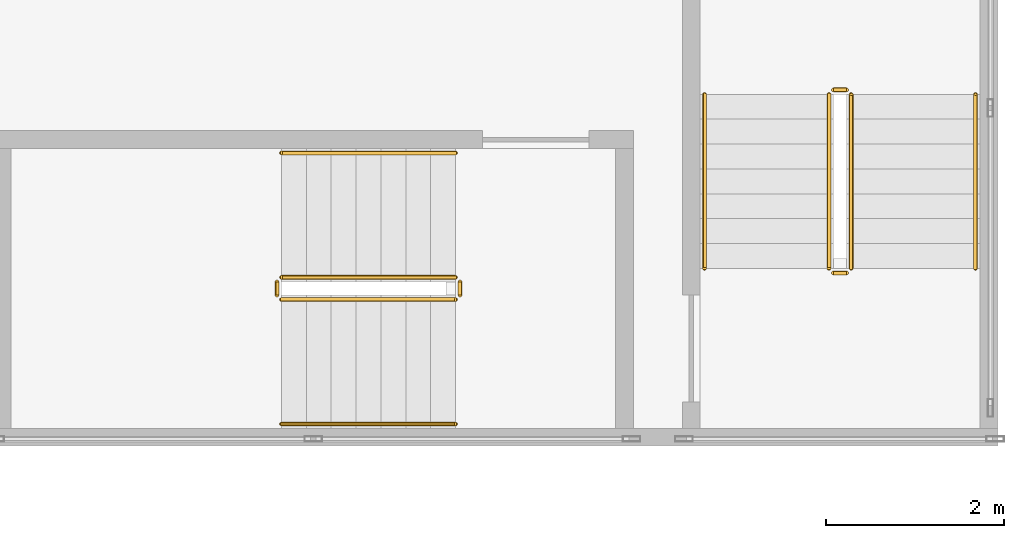
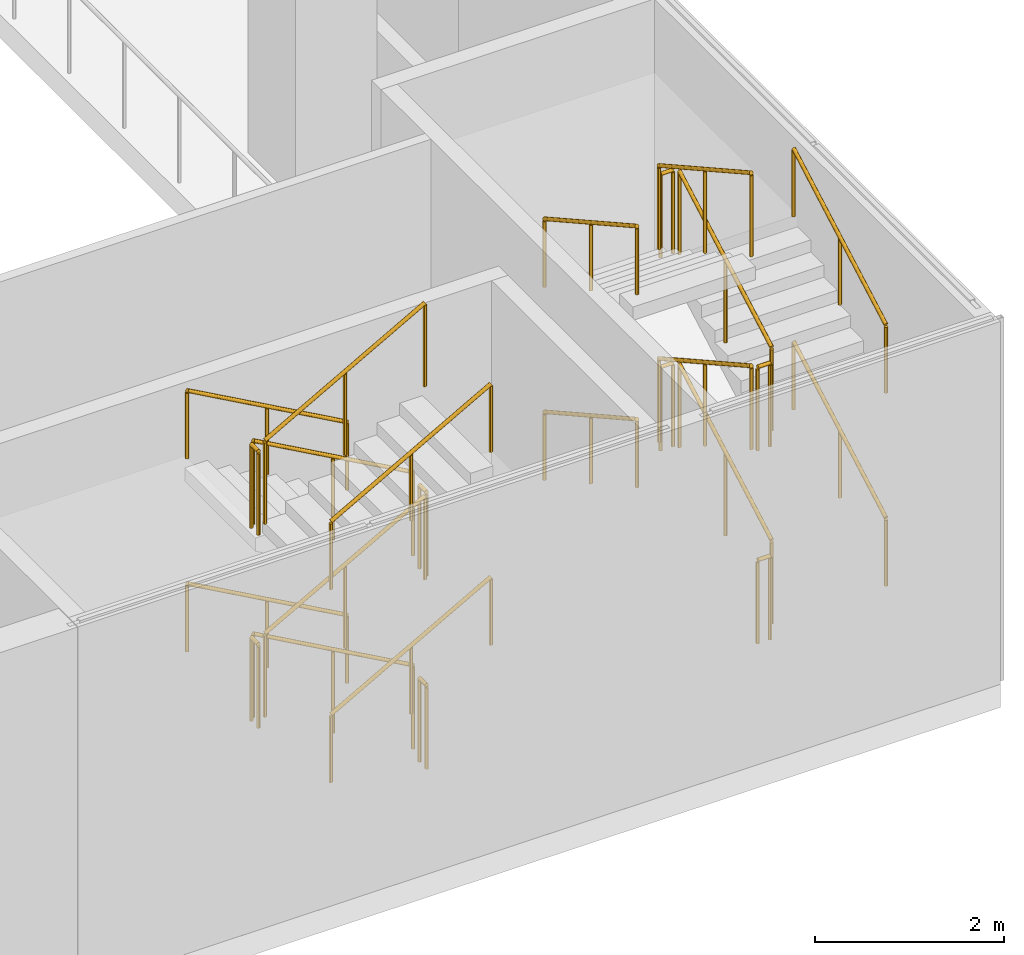
# One storey, part 21 of 23: 24 railings.
"""IFC4 building model written with IfcOpenShell, lengths in metres."""

from ifc_helpers import new_model, si_unit, direction, frame, origin, origin_2d, place, context, subcontext, project, spatial, circle, extrude, source, transform, mapped, material, type_object, element, save


model = new_model("IFC4")

# Units and contexts
model_context = context("Model", 3, precision=1e-05, world=origin(), true_north=direction((0.0, 1.0)))
body_context = subcontext(model_context, "Body", "Model", "MODEL_VIEW")
ifc_project = project(units=[si_unit("LENGTHUNIT", "METRE"), si_unit("AREAUNIT", "SQUARE_METRE"), si_unit("VOLUMEUNIT", "CUBIC_METRE"), si_unit("PLANEANGLEUNIT", "RADIAN"), si_unit("MASSUNIT", "GRAM", prefix="KILO")], contexts=[model_context])

# Site, building, storey
site_placement = place(None, origin())
site = spatial("IfcSite", under=ifc_project, at=site_placement, CompositionType="ELEMENT")
building_placement = place(site_placement, origin())
building = spatial("IfcBuilding", under=site, at=building_placement, Name="Khomas Fold Tower", CompositionType="ELEMENT")
storey_placement = place(building_placement, frame((0.0, 0.0, 18.5)))
storey = spatial("IfcBuildingStorey", under=building, at=storey_placement, Name="L03", CompositionType="ELEMENT", Elevation=18.5)

# Railings
ifc_material_1 = material(Name="Steel balustrade", Category="steel")
railing_type_1 = type_object("IfcRailingType", Name="Stair guard", PredefinedType="GUARDRAIL", material=ifc_material_1)
shared_shape_1 = source(origin(), body_context, "Body", "SweptSolid", [
    extrude(circle(Radius=0.02392578125, at=origin_2d()), frame((0.0, 0.0, 1.076171875), z_axis=(0.873232148454, 0.0, 0.487304437602), x_axis=(0.0, 1.0, 0.0)), (0.0, 0.0, 1.0), 2.244384765625),
    extrude(circle(Radius=0.02099609375, at=origin_2d()), origin(), (0.0, 0.0, 1.0), 1.052001953125),
    extrude(circle(Radius=0.02099609375, at=origin_2d()), frame((0.97998046875, 0.0, 0.546875)), (0.0, 0.0, 1.0), 1.052001953125),
    extrude(circle(Radius=0.02099609375, at=origin_2d()), frame((1.9599609375, 0.0, 1.09375)), (0.0, 0.0, 1.0), 1.052001953125),
])
for number, where, name in (
    (1, (72.93994140625, 1.64990234375, 1.40625), "L03 PS3 stair guard 3"),
    (2, (72.93994140625, 1.64990234375, 3.90625), "L03 PS3 stair guard 7"),
):
    element("IfcRailing", number, at=place(storey_placement, frame(where)), inside=storey, type_object=railing_type_1, Name=name, PredefinedType="GUARDRAIL", context=body_context, shape_type="MappedRepresentation", body=[
        mapped(shared_shape_1, transform((0.0, 0.0, 0.0))),
    ])
shared_shape_2 = source(origin(), body_context, "Body", "SweptSolid", [
    extrude(circle(Radius=0.02392578125, at=origin_2d()), frame((0.0, 0.0, 1.076171875), z_axis=(-0.873232148454, 0.0, 0.487304437602), x_axis=(0.0, -1.0, 0.0)), (0.0, 0.0, 1.0), 2.244384765625),
    extrude(circle(Radius=0.02099609375, at=origin_2d()), origin(), (0.0, 0.0, 1.0), 1.052001953125),
    extrude(circle(Radius=0.02099609375, at=origin_2d()), frame((-0.97998046875, 0.0, 0.546875)), (0.0, 0.0, 1.0), 1.052001953125),
    extrude(circle(Radius=0.02099609375, at=origin_2d()), frame((-1.9599609375, 0.0, 1.09375)), (0.0, 0.0, 1.0), 1.052001953125),
])
for number, where, name in (
    (3, (74.89990234375, 1.89990234375, 0.15625), "L03 PS3 stair guard 1"),
    (4, (74.89990234375, 1.89990234375, 2.65625), "L03 PS3 stair guard 5"),
):
    element("IfcRailing", number, at=place(storey_placement, frame(where)), inside=storey, type_object=railing_type_1, Name=name, PredefinedType="GUARDRAIL", context=body_context, shape_type="MappedRepresentation", body=[
        mapped(shared_shape_2, transform((0.0, 0.0, 0.0))),
    ])
ifc_material_2 = material(Name="Steel handrail", Category="steel")
railing_type_2 = type_object("IfcRailingType", Name="Stair handrail", PredefinedType="HANDRAIL", material=ifc_material_2)
shared_shape_3 = source(origin(), body_context, "Body", "SweptSolid", [
    extrude(circle(Radius=0.02392578125, at=origin_2d()), frame((0.0, 0.0, 0.8759765625), z_axis=(0.873232148454, 0.0, 0.487304437602), x_axis=(0.0, 1.0, 0.0)), (0.0, 0.0, 1.0), 2.244384765625),
    extrude(circle(Radius=0.02099609375, at=origin_2d()), origin(), (0.0, 0.0, 1.0), 0.851806640625),
    extrude(circle(Radius=0.02099609375, at=origin_2d()), frame((0.97998046875, 0.0, 0.546875)), (0.0, 0.0, 1.0), 0.851806640625),
    extrude(circle(Radius=0.02099609375, at=origin_2d()), frame((1.9599609375, 0.0, 1.09375)), (0.0, 0.0, 1.0), 0.851806640625),
])
for number, where, name in (
    (5, (72.93994140625, 0.25, 1.40625), "L03 PS3 stair handrail 2"),
    (6, (72.93994140625, 0.25, 3.90625), "L03 PS3 stair handrail 4"),
):
    element("IfcRailing", number, at=place(storey_placement, frame(where)), inside=storey, type_object=railing_type_2, Name=name, PredefinedType="HANDRAIL", context=body_context, shape_type="MappedRepresentation", body=[
        mapped(shared_shape_3, transform((0.0, 0.0, 0.0))),
    ])
shared_shape_4 = source(origin(), body_context, "Body", "SweptSolid", [
    extrude(circle(Radius=0.02392578125, at=origin_2d()), frame((0.0, 0.0, 0.8759765625), z_axis=(-0.873232148454, 0.0, 0.487304437602), x_axis=(0.0, -1.0, 0.0)), (0.0, 0.0, 1.0), 2.244384765625),
    extrude(circle(Radius=0.02099609375, at=origin_2d()), origin(), (0.0, 0.0, 1.0), 0.851806640625),
    extrude(circle(Radius=0.02099609375, at=origin_2d()), frame((-0.97998046875, 0.0, 0.546875)), (0.0, 0.0, 1.0), 0.851806640625),
    extrude(circle(Radius=0.02099609375, at=origin_2d()), frame((-1.9599609375, 0.0, 1.09375)), (0.0, 0.0, 1.0), 0.851806640625),
])
for number, where, name in (
    (7, (74.89990234375, 3.300048828125, 0.15625), "L03 PS3 stair handrail 1"),
    (8, (74.89990234375, 3.300048828125, 2.65625), "L03 PS3 stair handrail 3"),
):
    element("IfcRailing", number, at=place(storey_placement, frame(where)), inside=storey, type_object=railing_type_2, Name=name, PredefinedType="HANDRAIL", context=body_context, shape_type="MappedRepresentation", body=[
        mapped(shared_shape_4, transform((0.0, 0.0, 0.0))),
    ])
shared_shape_5 = source(origin(), body_context, "Body", "SweptSolid", [
    extrude(circle(Radius=0.02392578125, at=origin_2d()), frame((0.0, 0.0, 1.076171875), z_axis=(-1.0, 0.0, 0.0), x_axis=(0.0, -1.0, 0.0)), (0.0, 0.0, 1.0), 0.150146484375),
    extrude(circle(Radius=0.02099609375, at=origin_2d()), origin(), (0.0, 0.0, 1.0), 1.052001953125),
    extrude(circle(Radius=0.02099609375, at=origin_2d()), frame((-0.150146484375, 0.0, 0.0)), (0.0, 0.0, 1.0), 1.052001953125),
])
for number, where, name in (
    (9, (79.300048828125, 4.010009765625, 1.25), "L03 PS4 stair guard 2"),
    (10, (79.300048828125, 1.949951171875, 2.5), "L03 PS4 stair guard 4"),
    (11, (79.300048828125, 4.010009765625, 3.75), "L03 PS4 stair guard 6"),
    (12, (79.300048828125, 1.949951171875, 0.0), "L03 PS4 stair guard 8"),
):
    element("IfcRailing", number, at=place(storey_placement, frame(where)), inside=storey, type_object=railing_type_1, Name=name, PredefinedType="GUARDRAIL", context=body_context, shape_type="MappedRepresentation", body=[
        mapped(shared_shape_5, transform((0.0, 0.0, 0.0))),
    ])
shared_shape_6 = source(origin(), body_context, "Body", "SweptSolid", [
    extrude(circle(Radius=0.02392578125, at=origin_2d()), frame((0.0, 0.0, 1.076171875), z_axis=(0.0, 0.873232148454, 0.487304437602), x_axis=(-1.0, 0.0, 0.0)), (0.0, 0.0, 1.0), 2.244384765625),
    extrude(circle(Radius=0.02099609375, at=origin_2d()), origin(), (0.0, 0.0, 1.0), 1.052001953125),
    extrude(circle(Radius=0.02099609375, at=origin_2d()), frame((0.0, 0.97998046875, 0.546875)), (0.0, 0.0, 1.0), 1.052001953125),
    extrude(circle(Radius=0.02099609375, at=origin_2d()), frame((0.0, 1.9599609375, 1.09375)), (0.0, 0.0, 1.0), 1.052001953125),
])
for number, where, name in (
    (13, (79.35009765625, 2.0, 0.15625), "L03 PS4 stair guard 1"),
    (14, (79.35009765625, 2.0, 2.65625), "L03 PS4 stair guard 5"),
):
    element("IfcRailing", number, at=place(storey_placement, frame(where)), inside=storey, type_object=railing_type_1, Name=name, PredefinedType="GUARDRAIL", context=body_context, shape_type="MappedRepresentation", body=[
        mapped(shared_shape_6, transform((0.0, 0.0, 0.0))),
    ])
shared_shape_7 = source(origin(), body_context, "Body", "SweptSolid", [
    extrude(circle(Radius=0.02392578125, at=origin_2d()), frame((0.0, 0.0, 1.076171875), z_axis=(0.0, -0.873232148454, 0.487304437602), x_axis=(1.0, 0.0, 0.0)), (0.0, 0.0, 1.0), 2.244384765625),
    extrude(circle(Radius=0.02099609375, at=origin_2d()), origin(), (0.0, 0.0, 1.0), 1.052001953125),
    extrude(circle(Radius=0.02099609375, at=origin_2d()), frame((0.0, -0.97998046875, 0.546875)), (0.0, 0.0, 1.0), 1.052001953125),
    extrude(circle(Radius=0.02099609375, at=origin_2d()), frame((0.0, -1.9599609375, 1.09375)), (0.0, 0.0, 1.0), 1.052001953125),
])
for number, where, name in (
    (15, (79.10009765625, 3.9599609375, 1.40625), "L03 PS4 stair guard 3"),
    (16, (79.10009765625, 3.9599609375, 3.90625), "L03 PS4 stair guard 7"),
):
    element("IfcRailing", number, at=place(storey_placement, frame(where)), inside=storey, type_object=railing_type_1, Name=name, PredefinedType="GUARDRAIL", context=body_context, shape_type="MappedRepresentation", body=[
        mapped(shared_shape_7, transform((0.0, 0.0, 0.0))),
    ])
shared_shape_8 = source(origin(), body_context, "Body", "SweptSolid", [
    extrude(circle(Radius=0.02392578125, at=origin_2d()), frame((0.0, 0.0, 0.8759765625), z_axis=(0.0, 0.873232148454, 0.487304437602), x_axis=(-1.0, 0.0, 0.0)), (0.0, 0.0, 1.0), 2.244384765625),
    extrude(circle(Radius=0.02099609375, at=origin_2d()), origin(), (0.0, 0.0, 1.0), 0.851806640625),
    extrude(circle(Radius=0.02099609375, at=origin_2d()), frame((0.0, 0.97998046875, 0.546875)), (0.0, 0.0, 1.0), 0.851806640625),
    extrude(circle(Radius=0.02099609375, at=origin_2d()), frame((0.0, 1.9599609375, 1.09375)), (0.0, 0.0, 1.0), 0.851806640625),
])
for number, where, name in (
    (17, (80.75, 2.0, 0.15625), "L03 PS4 stair handrail 1"),
    (18, (80.75, 2.0, 2.65625), "L03 PS4 stair handrail 3"),
):
    element("IfcRailing", number, at=place(storey_placement, frame(where)), inside=storey, type_object=railing_type_2, Name=name, PredefinedType="HANDRAIL", context=body_context, shape_type="MappedRepresentation", body=[
        mapped(shared_shape_8, transform((0.0, 0.0, 0.0))),
    ])
shared_shape_9 = source(origin(), body_context, "Body", "SweptSolid", [
    extrude(circle(Radius=0.02392578125, at=origin_2d()), frame((0.0, 0.0, 0.8759765625), z_axis=(0.0, -0.873232148454, 0.487304437602), x_axis=(1.0, 0.0, 0.0)), (0.0, 0.0, 1.0), 2.244384765625),
    extrude(circle(Radius=0.02099609375, at=origin_2d()), origin(), (0.0, 0.0, 1.0), 0.851806640625),
    extrude(circle(Radius=0.02099609375, at=origin_2d()), frame((0.0, -0.97998046875, 0.546875)), (0.0, 0.0, 1.0), 0.851806640625),
    extrude(circle(Radius=0.02099609375, at=origin_2d()), frame((0.0, -1.9599609375, 1.09375)), (0.0, 0.0, 1.0), 0.851806640625),
])
for number, where, name in (
    (19, (77.699951171875, 3.9599609375, 1.40625), "L03 PS4 stair handrail 2"),
    (20, (77.699951171875, 3.9599609375, 3.90625), "L03 PS4 stair handrail 4"),
):
    element("IfcRailing", number, at=place(storey_placement, frame(where)), inside=storey, type_object=railing_type_2, Name=name, PredefinedType="HANDRAIL", context=body_context, shape_type="MappedRepresentation", body=[
        mapped(shared_shape_9, transform((0.0, 0.0, 0.0))),
    ])
shared_shape_10 = source(origin(), body_context, "Body", "SweptSolid", [
    extrude(circle(Radius=0.02392578125, at=origin_2d()), frame((0.0, 0.0, 1.076171875), z_axis=(0.0, -1.0, 0.0), x_axis=(1.0, 0.0, 0.0)), (0.0, 0.0, 1.0), 0.150146484375),
    extrude(circle(Radius=0.02099609375, at=origin_2d()), origin(), (0.0, 0.0, 1.0), 1.052001953125),
    extrude(circle(Radius=0.02099609375, at=origin_2d()), frame((0.0, -0.150146484375, 0.0)), (0.0, 0.0, 1.0), 1.052001953125),
])
for number, where, name in (
    (21, (72.889892578125, 1.85009765625, 1.25), "L03 PS3 stair guard 2"),
    (22, (74.949951171875, 1.85009765625, 2.5), "L03 PS3 stair guard 4"),
    (23, (72.889892578125, 1.85009765625, 3.75), "L03 PS3 stair guard 6"),
    (24, (74.949951171875, 1.85009765625, 0.0), "L03 PS3 stair guard 8"),
):
    element("IfcRailing", number, at=place(storey_placement, frame(where)), inside=storey, type_object=railing_type_1, Name=name, PredefinedType="GUARDRAIL", context=body_context, shape_type="MappedRepresentation", body=[
        mapped(shared_shape_10, transform((0.0, 0.0, 0.0))),
    ])

save(model, "model.ifc")
